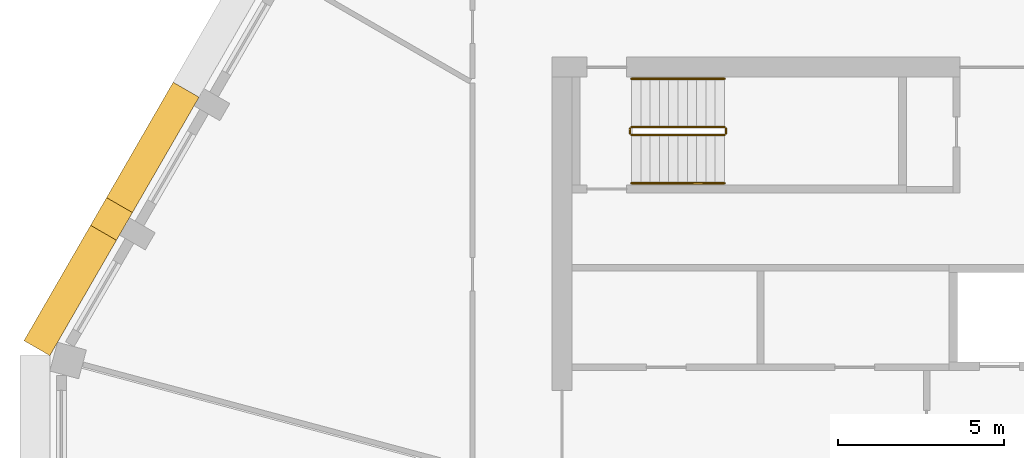
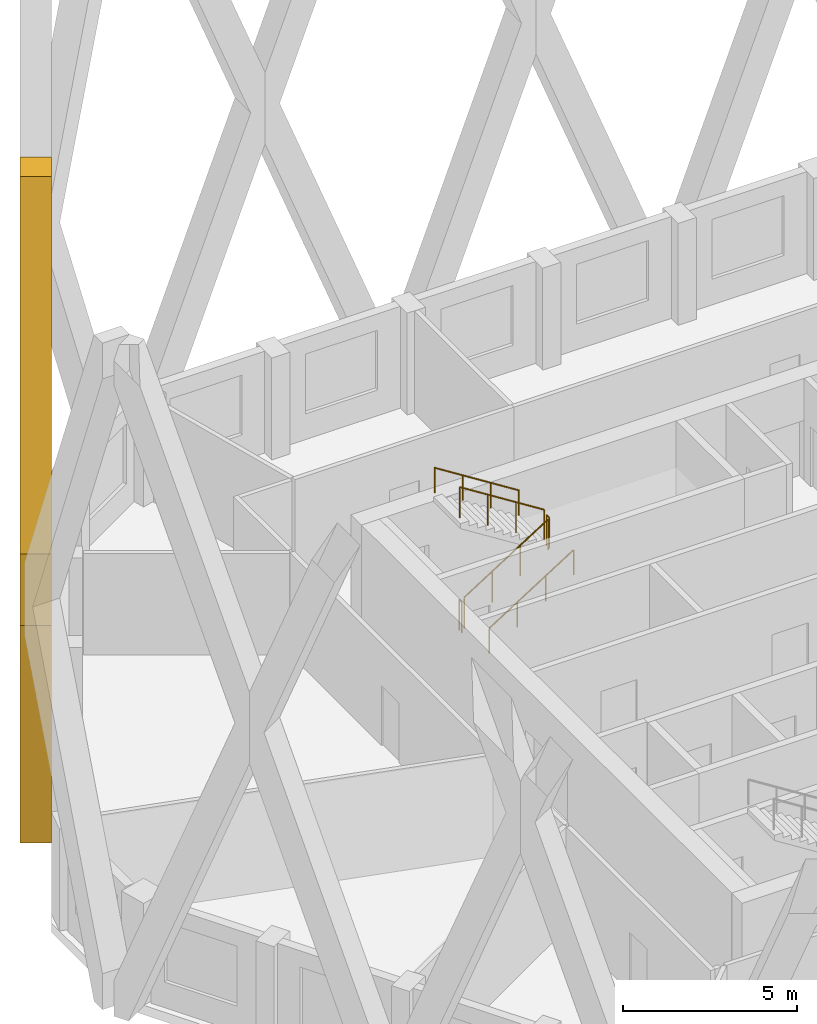
# One storey, part 10 of 14: 6 railings, 1 covering.
"""IFC4 building model written with IfcOpenShell, lengths in metres."""

from ifc_helpers import new_model, si_unit, direction, frame, origin, origin_2d, place, context, subcontext, project, spatial, polyline, circle, outline, extrude, material, type_object, element, save


model = new_model("IFC4")

# Units and contexts
model_context = context("Model", 3, precision=1e-05, world=origin(), true_north=direction((0.0, 1.0)))
body_context = subcontext(model_context, "Body", "Model", "MODEL_VIEW")
ifc_project = project(units=[si_unit("LENGTHUNIT", "METRE"), si_unit("AREAUNIT", "SQUARE_METRE"), si_unit("VOLUMEUNIT", "CUBIC_METRE"), si_unit("PLANEANGLEUNIT", "RADIAN"), si_unit("MASSUNIT", "GRAM", prefix="KILO")], contexts=[model_context])

# Site, building, storey
site_placement = place(None, origin())
site = spatial("IfcSite", under=ifc_project, at=site_placement, CompositionType="ELEMENT")
building_placement = place(site_placement, origin())
building = spatial("IfcBuilding", under=site, at=building_placement, Name="Dhurran Vertical Campus", CompositionType="ELEMENT")
storey_placement = place(building_placement, frame((0.0, 0.0, 286.5)))
storey = spatial("IfcBuildingStorey", under=building, at=storey_placement, Name="L71", CompositionType="ELEMENT", Elevation=286.5)

# Covering
ifc_material_1 = material(Name="Precast concrete C50/60", Category="concrete")
covering_type = type_object("IfcCoveringType", Name="Folded precast fin lattice diamond", PredefinedType="USERDEFINED", material=ifc_material_1)
covering_placement = place(storey_placement, frame((-24.147216796875, 10.044189453125, 0.0), z_axis=(-0.866013897511, 0.50001992892, 0.0), x_axis=(-0.50001992892, -0.866013897511, 0.0)))
element("IfcCovering", 1, at=covering_placement, inside=storey, type_object=covering_type, Name="FN1 L71.019", ObjectType="FIN", PredefinedType="USERDEFINED", context=body_context, shape_type="SweptSolid", body=[
    extrude(outline(polyline([(9.0, 12.95361328125), (9.0, 10.4462890625), (4.982177734375, 0.0), (4.017822265625, 0.0), (0.0, 10.4462890625), (0.0, 12.95361328125), (4.017822265625, 23.39990234375), (4.982177734375, 23.39990234375), (9.0, 12.95361328125)]), holes=[polyline([(8.517822265625, 11.699951171875), (4.5, 22.146484375), (0.482177734375, 11.699951171875), (4.5, 1.253662109375), (8.517822265625, 11.699951171875)])]), origin(), (0.0, 0.0, 1.0), 0.89990234375),
])

# Railings
ifc_material_2 = material(Name="Stainless steel balustrade", Category="steel")
railing_type_1 = type_object("IfcRailingType", Name="co-RL-GUARD-1100", PredefinedType="GUARDRAIL", material=ifc_material_2)
railing_1_placement = place(storey_placement, frame((-11.10009765625, 8.89990234375, 0.17724609375)))
element("IfcRailing", 2, at=railing_1_placement, inside=storey, type_object=railing_type_1, Name="L71 ST1 stair guard 1", PredefinedType="GUARDRAIL", context=body_context, shape_type="SweptSolid", body=[
    extrude(circle(Radius=0.02392578125, at=origin_2d()), frame((0.0, 0.0, 1.076171875), z_axis=(0.844908973607, 0.0, 0.534910110503), x_axis=(0.0, 1.0, 0.0)), (0.0, 0.0, 1.0), 3.31396484375),
    extrude(circle(Radius=0.02099609375, at=origin_2d()), origin(), (0.0, 0.0, 1.0), 1.052001953125),
    extrude(circle(Radius=0.02099609375, at=origin_2d()), frame((0.933349609375, 0.0, 0.5908203125)), (0.0, 0.0, 1.0), 1.052001953125),
    extrude(circle(Radius=0.02099609375, at=origin_2d()), frame((1.86669921875, 0.0, 1.181884765625)), (0.0, 0.0, 1.0), 1.052001953125),
    extrude(circle(Radius=0.02099609375, at=origin_2d()), frame((2.800048828125, 0.0, 1.772705078125)), (0.0, 0.0, 1.0), 1.052001953125),
])
railing_2_placement = place(storey_placement, frame((-8.25, 8.949951171875, 1.949951171875)))
element("IfcRailing", 3, at=railing_2_placement, inside=storey, type_object=railing_type_1, Name="L71 ST1 stair guard 2", PredefinedType="GUARDRAIL", context=body_context, shape_type="SweptSolid", body=[
    extrude(circle(Radius=0.02392578125, at=origin_2d()), frame((0.0, 0.0, 1.076171875), z_axis=(0.0, 1.0, 0.0), x_axis=(-1.0, 0.0, 0.0)), (0.0, 0.0, 1.0), 0.150146484375),
    extrude(circle(Radius=0.02099609375, at=origin_2d()), origin(), (0.0, 0.0, 1.0), 1.052001953125),
    extrude(circle(Radius=0.02099609375, at=origin_2d()), frame((0.0, 0.150146484375, 0.0)), (0.0, 0.0, 1.0), 1.052001953125),
])
railing_3_placement = place(storey_placement, frame((-8.300048828125, 9.14990234375, 2.127197265625)))
element("IfcRailing", 4, at=railing_3_placement, inside=storey, type_object=railing_type_1, Name="L71 ST1 stair guard 3", PredefinedType="GUARDRAIL", context=body_context, shape_type="SweptSolid", body=[
    extrude(circle(Radius=0.02392578125, at=origin_2d()), frame((0.0, 0.0, 1.076171875), z_axis=(-0.844908973607, 0.0, 0.534910110503), x_axis=(0.0, -1.0, 0.0)), (0.0, 0.0, 1.0), 3.31396484375),
    extrude(circle(Radius=0.02099609375, at=origin_2d()), origin(), (0.0, 0.0, 1.0), 1.052001953125),
    extrude(circle(Radius=0.02099609375, at=origin_2d()), frame((-0.933349609375, 0.0, 0.5908203125)), (0.0, 0.0, 1.0), 1.052001953125),
    extrude(circle(Radius=0.02099609375, at=origin_2d()), frame((-1.86669921875, 0.0, 1.181884765625)), (0.0, 0.0, 1.0), 1.052001953125),
    extrude(circle(Radius=0.02099609375, at=origin_2d()), frame((-2.800048828125, 0.0, 1.772705078125)), (0.0, 0.0, 1.0), 1.052001953125),
])
railing_4_placement = place(storey_placement, frame((-11.14990234375, 8.949951171875, 0.0)))
element("IfcRailing", 5, at=railing_4_placement, inside=storey, type_object=railing_type_1, Name="L71 ST1 stair guard 4", PredefinedType="GUARDRAIL", context=body_context, shape_type="SweptSolid", body=[
    extrude(circle(Radius=0.02392578125, at=origin_2d()), frame((0.0, 0.0, 1.076171875), z_axis=(0.0, 1.0, 0.0), x_axis=(-1.0, 0.0, 0.0)), (0.0, 0.0, 1.0), 0.150146484375),
    extrude(circle(Radius=0.02099609375, at=origin_2d()), origin(), (0.0, 0.0, 1.0), 1.052001953125),
    extrude(circle(Radius=0.02099609375, at=origin_2d()), frame((0.0, 0.150146484375, 0.0)), (0.0, 0.0, 1.0), 1.052001953125),
])
ifc_material_3 = material(Name="Stainless steel handrail", Category="steel")
railing_type_2 = type_object("IfcRailingType", Name="co-RL-HANDRAIL-900", PredefinedType="HANDRAIL", material=ifc_material_3)
railing_5_placement = place(storey_placement, frame((-11.10009765625, 7.449951171875, 0.17724609375)))
element("IfcRailing", 6, at=railing_5_placement, inside=storey, type_object=railing_type_2, Name="L71 ST1 stair handrail 1", PredefinedType="HANDRAIL", context=body_context, shape_type="SweptSolid", body=[
    extrude(circle(Radius=0.02392578125, at=origin_2d()), frame((0.0, 0.0, 0.8759765625), z_axis=(0.844908973607, 0.0, 0.534910110503), x_axis=(0.0, 1.0, 0.0)), (0.0, 0.0, 1.0), 3.31396484375),
    extrude(circle(Radius=0.02099609375, at=origin_2d()), origin(), (0.0, 0.0, 1.0), 0.851806640625),
    extrude(circle(Radius=0.02099609375, at=origin_2d()), frame((0.933349609375, 0.0, 0.5908203125)), (0.0, 0.0, 1.0), 0.851806640625),
    extrude(circle(Radius=0.02099609375, at=origin_2d()), frame((1.86669921875, 0.0, 1.181884765625)), (0.0, 0.0, 1.0), 0.851806640625),
    extrude(circle(Radius=0.02099609375, at=origin_2d()), frame((2.800048828125, 0.0, 1.772705078125)), (0.0, 0.0, 1.0), 0.851806640625),
])
railing_6_placement = place(storey_placement, frame((-8.300048828125, 10.60009765625, 2.127197265625)))
element("IfcRailing", 7, at=railing_6_placement, inside=storey, type_object=railing_type_2, Name="L71 ST1 stair handrail 2", PredefinedType="HANDRAIL", context=body_context, shape_type="SweptSolid", body=[
    extrude(circle(Radius=0.02392578125, at=origin_2d()), frame((0.0, 0.0, 0.8759765625), z_axis=(-0.844908973607, 0.0, 0.534910110503), x_axis=(0.0, -1.0, 0.0)), (0.0, 0.0, 1.0), 3.31396484375),
    extrude(circle(Radius=0.02099609375, at=origin_2d()), origin(), (0.0, 0.0, 1.0), 0.851806640625),
    extrude(circle(Radius=0.02099609375, at=origin_2d()), frame((-0.933349609375, 0.0, 0.5908203125)), (0.0, 0.0, 1.0), 0.851806640625),
    extrude(circle(Radius=0.02099609375, at=origin_2d()), frame((-1.86669921875, 0.0, 1.181884765625)), (0.0, 0.0, 1.0), 0.851806640625),
    extrude(circle(Radius=0.02099609375, at=origin_2d()), frame((-2.800048828125, 0.0, 1.772705078125)), (0.0, 0.0, 1.0), 0.851806640625),
])

save(model, "model.ifc")
